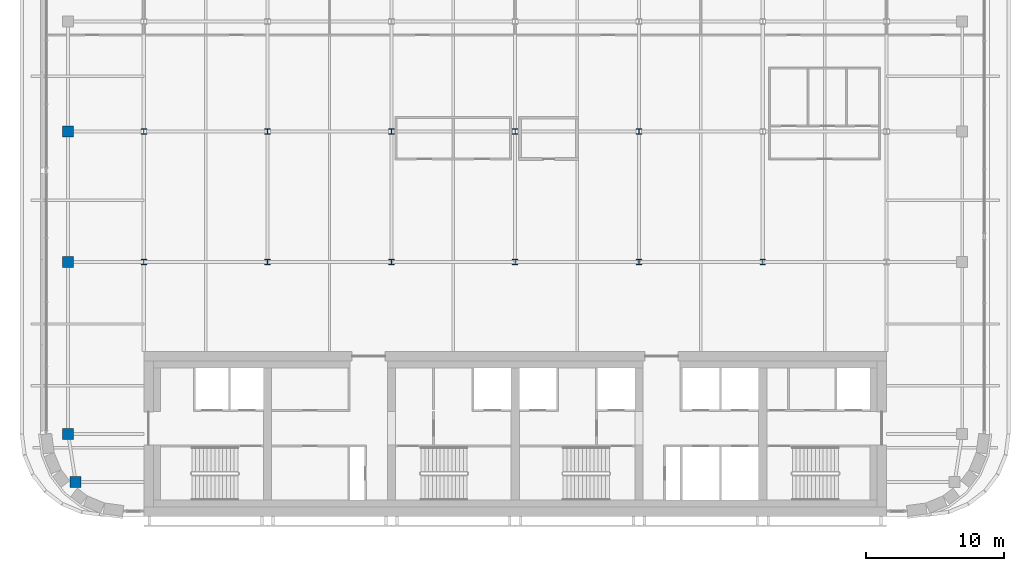
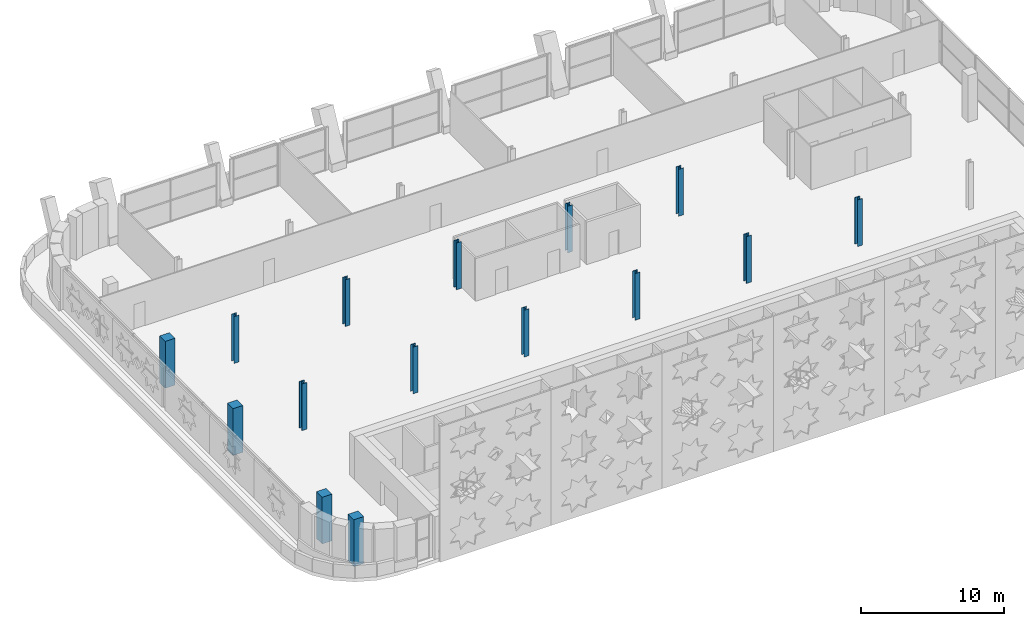
# One storey, part 1 of 25: 15 columns.
"""IFC4 building model written with IfcOpenShell, lengths in metres."""

from ifc_helpers import new_model, si_unit, direction, frame, origin, origin_2d, place, context, subcontext, project, spatial, rectangle, i_section, extrude, material, material_profile, profile_set, type_object, element, save


model = new_model("IFC4")

# Units and contexts
model_context = context("Model", 3, precision=1e-05, world=origin(), true_north=direction((0.0, 1.0)))
body_context = subcontext(model_context, "Body", "Model", "MODEL_VIEW")
ifc_project = project(units=[si_unit("LENGTHUNIT", "METRE"), si_unit("AREAUNIT", "SQUARE_METRE"), si_unit("VOLUMEUNIT", "CUBIC_METRE"), si_unit("PLANEANGLEUNIT", "RADIAN"), si_unit("MASSUNIT", "GRAM", prefix="KILO")], contexts=[model_context])

# Site, building, storey
site_placement = place(None, origin())
site = spatial("IfcSite", under=ifc_project, at=site_placement, CompositionType="ELEMENT")
building_placement = place(site_placement, origin())
building = spatial("IfcBuilding", under=site, at=building_placement, Name="Zellij Exchange Tower", CompositionType="ELEMENT")
storey_placement = place(building_placement, frame((0.0, 0.0, 264.5)))
storey = spatial("IfcBuildingStorey", under=building, at=storey_placement, Name="L62", CompositionType="ELEMENT", Elevation=264.5)

# Columns
ifc_material_1 = material(Name="Concrete C50/60", Category="concrete")
ifc_material_profile_1 = material_profile(ifc_material_1, rectangle(XDim=0.800048828125, YDim=0.800048828125, at=origin_2d()), Name="STR-COLUMN RC800x800 C50/60")
ifc_profile_set_1 = profile_set([ifc_material_profile_1], Name="Concrete C50/60")
column_type_1 = type_object("IfcColumnType", Name="STR-COLUMN RC800x800 C50/60", PredefinedType="COLUMN", material=ifc_profile_set_1)
for number, where, z_axis, x_axis, name in (
    (1, (-31.949951171875, -11.5, 0.0), (0.0, 0.0, 1.0), (1.0, 0.0, 0.0), "C15"),
    (2, (-32.5, -8.0, 0.0), (0.0, 0.0, 1.0), (1.0, 0.0, 0.0), "C15"),
    (3, (-32.5, 4.5, 0.0), (0.0, 0.0, 1.0), (1.0, 0.0, 0.0), "C15"),
    (4, (-32.5, 14.0, 0.0), (0.0, 0.0, 1.0), (1.0, 0.0, 0.0), "C15"),
):
    element("IfcColumn", number, at=place(storey_placement, frame(where, z_axis=z_axis, x_axis=x_axis)), inside=storey, type_object=column_type_1, Name=name, PredefinedType="COLUMN", context=body_context, shape_type="SweptSolid", body=[
        extrude(rectangle(XDim=0.800048828125, YDim=0.800048828125, at=origin_2d()), origin(), (0.0, 0.0, 1.0), 4.0),
    ])
ifc_material_2 = material(Name="Structural steel ASTM A992 Gr 50", Category="steel")
ifc_material_profile_2 = material_profile(ifc_material_2, i_section(OverallWidth=0.398681640625, OverallDepth=0.385986328125, WebThickness=0.02099609375, FlangeThickness=0.033203125, at=origin_2d()), Name="W14x176")
ifc_profile_set_2 = profile_set([ifc_material_profile_2], Name="Structural steel ASTM A992 Gr 50")
column_type_2 = type_object("IfcColumnType", Name="STR-COLUMN W14x176", PredefinedType="COLUMN", material=ifc_profile_set_2)
for number, where, z_axis, x_axis, name in (
    (5, (-27.0, 4.5, 0.0), (0.0, 0.0, 1.0), (1.0, 0.0, 0.0), "C2"),
    (6, (-18.0, 4.5, 0.0), (0.0, 0.0, 1.0), (1.0, 0.0, 0.0), "C2"),
    (7, (-9.0, 4.5, 0.0), (0.0, 0.0, 1.0), (1.0, 0.0, 0.0), "C2"),
    (8, (0.0, 4.5, 0.0), (0.0, 0.0, 1.0), (1.0, 0.0, 0.0), "C2"),
    (9, (9.0, 4.5, 0.0), (0.0, 0.0, 1.0), (1.0, 0.0, 0.0), "C2"),
    (10, (18.0, 4.5, 0.0), (0.0, 0.0, 1.0), (1.0, 0.0, 0.0), "C2"),
    (11, (-27.0, 14.0, 0.0), (0.0, 0.0, 1.0), (1.0, 0.0, 0.0), "C2"),
    (12, (-18.0, 14.0, 0.0), (0.0, 0.0, 1.0), (1.0, 0.0, 0.0), "C2"),
    (13, (-9.0, 14.0, 0.0), (0.0, 0.0, 1.0), (1.0, 0.0, 0.0), "C2"),
    (14, (0.0, 14.0, 0.0), (0.0, 0.0, 1.0), (1.0, 0.0, 0.0), "C2"),
    (15, (9.0, 14.0, 0.0), (0.0, 0.0, 1.0), (1.0, 0.0, 0.0), "C2"),
):
    element("IfcColumn", number, at=place(storey_placement, frame(where, z_axis=z_axis, x_axis=x_axis)), inside=storey, type_object=column_type_2, Name=name, PredefinedType="COLUMN", context=body_context, shape_type="SweptSolid", body=[
        extrude(i_section(OverallWidth=0.398681640625, OverallDepth=0.385986328125, WebThickness=0.02099609375, FlangeThickness=0.033203125, at=origin_2d()), origin(), (0.0, 0.0, 1.0), 4.0),
    ])

save(model, "model.ifc")
